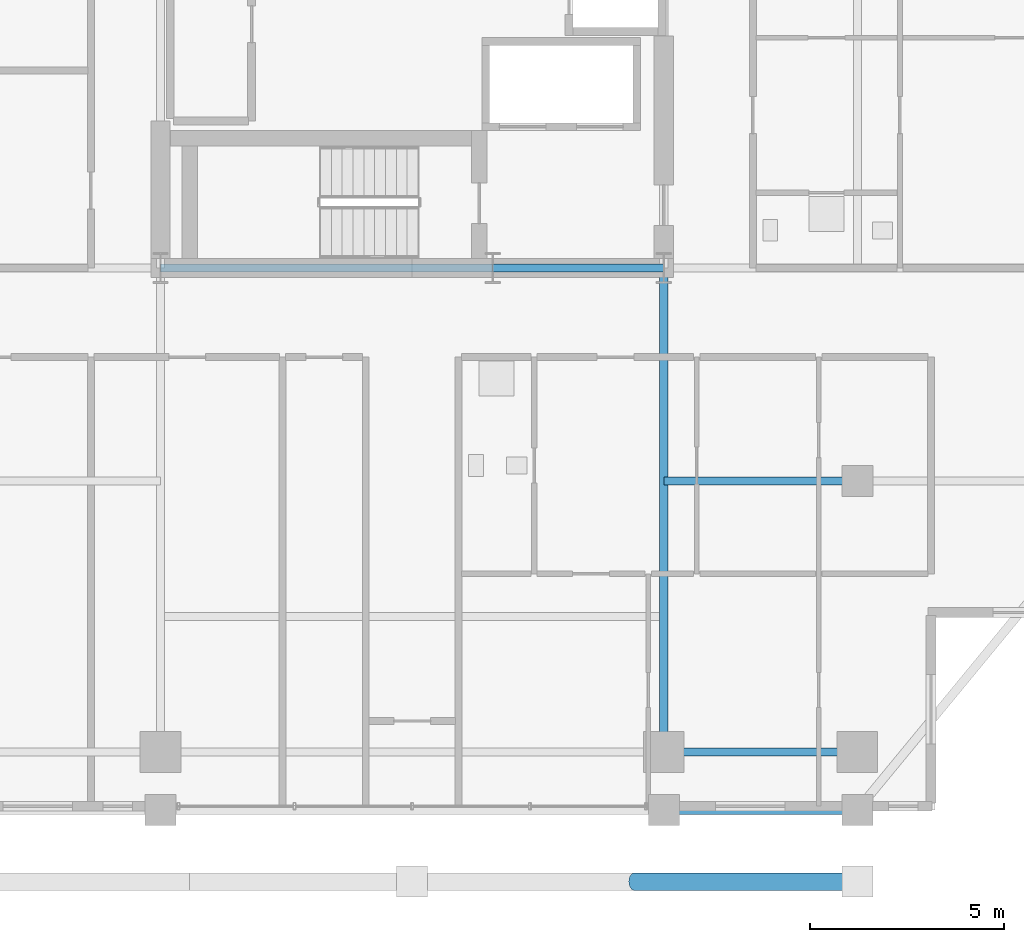
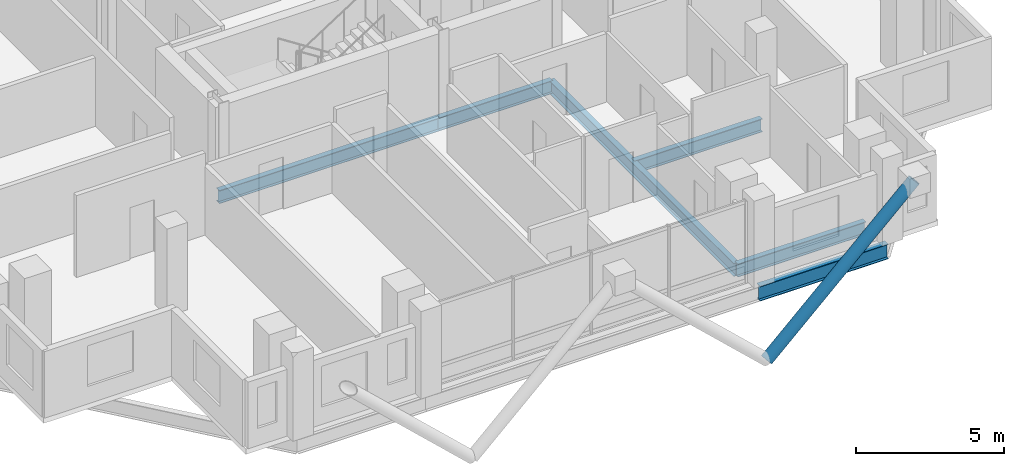
# One storey, part 5 of 24: 6 beams, 1 member.
"""IFC4 building model written with IfcOpenShell, lengths in metres."""

import ifcopenshell
import ifcopenshell.guid

model = None  # the IFC model being written
_history = None  # IfcOwnerHistory: only IFC2X3 demands one
_inside = {}  # id of a spatial element -> (the spatial element, [elements in it])
_under = {}  # id of a project, library or spatial element -> (it, [spatial elements below it])
_declared = {}  # id of a project -> (the project, [libraries it declares])
_typed = {}  # id of a type object -> (the type object, [elements of that type])
_made_of = {}  # id of a material, layer set ... -> (it, [elements and type objects made of it])


def new_model(schema):
    """Start an empty IFC model of exactly this schema.

    Asked for "IFC4X3", IfcOpenShell would pick the latest addendum, in which some entities
    have other attributes; the version numbers below select the first issue.
    IFC2X3 requires an IfcOwnerHistory on every rooted entity: one is made here for all.
    """
    global model, _history
    if schema == "IFC4X3":
        model = ifcopenshell.file(schema_version=(4, 3, 0, 0))
    else:
        model = ifcopenshell.file(schema=schema)
    _inside.clear()
    _under.clear()
    _declared.clear()
    _typed.clear()
    _made_of.clear()
    _history = None
    if model.schema == "IFC2X3":
        org = make("IfcOrganization", Name="unknown")
        user = make(
            "IfcPersonAndOrganization",
            ThePerson=make("IfcPerson", FamilyName="unknown"),
            TheOrganization=org,
        )
        app = make(
            "IfcApplication",
            ApplicationDeveloper=org,
            Version="unknown",
            ApplicationFullName="unknown",
            ApplicationIdentifier="unknown",
        )
        _history = make(
            "IfcOwnerHistory",
            OwningUser=user,
            OwningApplication=app,
            ChangeAction="ADDED",
            CreationDate=0,
        )
    return model


def make(cls, **values):
    """One entity of the class cls with the attributes given. An attribute that is None is left unset."""
    return model.create_entity(
        cls, **{name: value for name, value in values.items() if value is not None}
    )


def rooted(cls, **values):
    """An entity with a GlobalId (a new one), such as an element, a storey or a relation."""
    return make(cls, GlobalId=ifcopenshell.guid.new(), OwnerHistory=_history, **values)


def si_unit(unit_type, name, prefix=None):
    """IfcSIUnit, for example si_unit("LENGTHUNIT", "METRE", prefix="MILLI")."""
    return make("IfcSIUnit", UnitType=unit_type, Prefix=prefix, Name=name)


def assignment(units):
    """IfcUnitAssignment: the units of a project."""
    return None if units is None else make("IfcUnitAssignment", Units=units)


def point(xyz):
    """IfcCartesianPoint."""
    return None if xyz is None else make("IfcCartesianPoint", Coordinates=xyz)


def direction(xyz):
    """IfcDirection."""
    return None if xyz is None else make("IfcDirection", DirectionRatios=xyz)


def frame(location, z_axis=None, x_axis=None):
    """IfcAxis2Placement3D, a coordinate frame: its origin and axes. An axis left out is left unset."""
    return make(
        "IfcAxis2Placement3D",
        Location=point(location),
        Axis=direction(z_axis),
        RefDirection=direction(x_axis),
    )


def frame_2d(location, x_axis=None):
    """IfcAxis2Placement2D, a coordinate frame in the plane: its origin and x axis."""
    return make(
        "IfcAxis2Placement2D", Location=point(location), RefDirection=direction(x_axis)
    )


def origin():
    """The frame at (0, 0, 0) with its axes left unset."""
    return frame((0.0, 0.0, 0.0))


def origin_2d():
    """The frame at (0, 0) in the plane with its x axis left unset."""
    return frame_2d((0.0, 0.0))


def place(relative_to, where):
    """IfcLocalPlacement: puts the frame where relative to a parent placement (None: the world)."""
    return make(
        "IfcLocalPlacement", PlacementRelTo=relative_to, RelativePlacement=where
    )


def context(
    kind, dimensions, precision=None, world=None, true_north=None, identifier=None
):
    """IfcGeometricRepresentationContext, for example the 3D "Model" context."""
    return make(
        "IfcGeometricRepresentationContext",
        ContextIdentifier=identifier,
        ContextType=kind,
        CoordinateSpaceDimension=dimensions,
        Precision=precision,
        WorldCoordinateSystem=world,
        TrueNorth=true_north,
    )


def subcontext(parent, identifier, kind, view, scale=None):
    """IfcGeometricRepresentationSubContext, for example "Body" below "Model"."""
    return make(
        "IfcGeometricRepresentationSubContext",
        ContextIdentifier=identifier,
        ContextType=kind,
        ParentContext=parent,
        TargetScale=scale,
        TargetView=view,
    )


def project(units=None, contexts=None):
    """IfcProject with its units and contexts."""
    return rooted(
        "IfcProject",
        Name="project",
        RepresentationContexts=contexts,
        UnitsInContext=assignment(units),
    )


def spatial(cls, under=None, at=None, **own):
    """A site, building, storey or space (cls), placed at a placement, below another one or the project."""
    s = rooted(cls, ObjectPlacement=at, **own)
    if under is not None:
        _under.setdefault(under.id(), (under, []))[1].append(s)
    return s


def profile(cls, at=None, kind="AREA", **sizes):
    """A parametric profile (cls). Its sizes go by their IFC names, for example OverallWidth=200.0."""
    return make(cls, ProfileType=kind, Position=at, **sizes)


def hollow_circle(**sizes):
    """IfcCircleHollowProfileDef."""
    return profile("IfcCircleHollowProfileDef", **sizes)


def i_section(**sizes):
    """IfcIShapeProfileDef."""
    return profile("IfcIShapeProfileDef", **sizes)


def extrude(swept, where, along, depth):
    """IfcExtrudedAreaSolid: the profile swept, set in the frame where, extruded along a direction by depth."""
    return make(
        "IfcExtrudedAreaSolid",
        SweptArea=swept,
        Position=where,
        ExtrudedDirection=direction(along),
        Depth=depth,
    )


def shape(context_of_items, identifier, shape_type, items):
    """IfcShapeRepresentation: the items that make up one representation, for example the "Body"."""
    return make(
        "IfcShapeRepresentation",
        ContextOfItems=context_of_items,
        RepresentationIdentifier=identifier,
        RepresentationType=shape_type,
        Items=items,
    )


def material(Name=None, Category=None):
    """IfcMaterial."""
    return make("IfcMaterial", Name=Name, Category=Category)


def material_profile(
    of_material, cross_section, Name=None, Category=None, Priority=None
):
    """IfcMaterialProfile: a cross section and its material."""
    return make(
        "IfcMaterialProfile",
        Name=Name,
        Material=of_material,
        Profile=cross_section,
        Priority=Priority,
        Category=Category,
    )


def profile_set(profiles, Name=None, composite=None):
    """IfcMaterialProfileSet."""
    return make(
        "IfcMaterialProfileSet",
        Name=Name,
        MaterialProfiles=profiles,
        CompositeProfile=composite,
    )


def made_of(thing, what):
    """Note that an element or type object is made of a material, layer set ...; save() writes the relation."""
    if what is not None:
        _made_of.setdefault(what.id(), (what, []))[1].append(thing)
    return thing


def type_object(cls, material=None, **own):
    """A type object (cls), such as IfcWallType, which elements share."""
    return made_of(rooted(cls, **own), material)


def element(
    cls,
    number,
    at=None,
    inside=None,
    cuts=None,
    type_object=None,
    material=None,
    context=None,
    identifier="Body",
    shape_type=None,
    held_by="IfcProductDefinitionShape",
    body=None,
    shapes=None,
    **own,
):
    """One element of the class cls, such as IfcWall. Its Tag is "e" and its number.

    at: its placement. inside: the storey or other place that contains it. cuts: it is an
    opening in that element (IfcRelVoidsElement). A single representation is given by context,
    identifier, shape_type and body (its items); several are given by shapes. held_by: the class
    of the entity that holds the representations. save() writes the other relations.
    """
    e = rooted(cls, Tag="e%d" % number, ObjectPlacement=at, **own)
    if body is not None:
        shapes = [shape(context, identifier, shape_type, body)]
    if shapes is not None:
        e.Representation = make(held_by, Representations=shapes)
    if inside is not None:
        _inside.setdefault(inside.id(), (inside, []))[1].append(e)
    if cuts is not None:
        rooted(
            "IfcRelVoidsElement", RelatingBuildingElement=cuts, RelatedOpeningElement=e
        )
    if type_object is not None:
        _typed.setdefault(type_object.id(), (type_object, []))[1].append(e)
    return made_of(e, material)


def aggregate(whole, parts):
    """IfcRelAggregates: a whole, such as a stair, and the parts it consists of."""
    return rooted("IfcRelAggregates", RelatingObject=whole, RelatedObjects=parts)


def save(model, path):
    """Write the relations noted so far, then the file.

    IfcRelAggregates (storeys below a building ...), IfcRelContainedInSpatialStructure (elements
    in a storey), IfcRelDefinesByType, IfcRelAssociatesMaterial and IfcRelDeclares: one each for
    every whole, place, type object, material and project.
    """
    for whole, parts in _under.values():
        aggregate(whole, parts)
    for where, things in _inside.values():
        rooted(
            "IfcRelContainedInSpatialStructure",
            RelatedElements=things,
            RelatingStructure=where,
        )
    for kind, things in _typed.values():
        rooted("IfcRelDefinesByType", RelatedObjects=things, RelatingType=kind)
    for what, things in _made_of.values():
        rooted("IfcRelAssociatesMaterial", RelatedObjects=things, RelatingMaterial=what)
    for by, libraries in _declared.values():
        rooted("IfcRelDeclares", RelatingContext=by, RelatedDefinitions=libraries)
    model.write(path)


model = new_model("IFC4")

# Units and contexts
model_context = context("Model", 3, precision=1e-05, world=origin(), true_north=direction((0.0, 1.0)))
body_context = subcontext(model_context, "Body", "Model", "MODEL_VIEW")
ifc_project = project(units=[si_unit("LENGTHUNIT", "METRE"), si_unit("AREAUNIT", "SQUARE_METRE"), si_unit("VOLUMEUNIT", "CUBIC_METRE"), si_unit("PLANEANGLEUNIT", "RADIAN"), si_unit("MASSUNIT", "GRAM", prefix="KILO")], contexts=[model_context])

# Site, building, storey
site_placement = place(None, origin())
site = spatial("IfcSite", under=ifc_project, at=site_placement, CompositionType="ELEMENT")
building_placement = place(site_placement, origin())
building = spatial("IfcBuilding", under=site, at=building_placement, Name="Barlavira Tower and Art Museum", CompositionType="ELEMENT")
storey_placement = place(building_placement, frame((0.0, 0.0, 172.800048828125)))
storey = spatial("IfcBuildingStorey", under=building, at=storey_placement, Name="L44", CompositionType="ELEMENT", Elevation=172.800048828125)

# Member
ifc_material = material(Name="Steel S355", Category="steel")
ifc_material_profile_1 = material_profile(ifc_material, hollow_circle(Radius=0.228515625, WallThickness=0.02001953125, at=origin_2d()), Name="CHS 457.0x20.0")
ifc_profile_set_1 = profile_set([ifc_material_profile_1], Name="Steel S355")
member_type = type_object("IfcMemberType", Name="Pale-Metal Exoskeleton Diagrid Tube CHS 457x20 Steel S355", PredefinedType="BRACE", material=ifc_profile_set_1)
member_placement = place(storey_placement, frame((5.75, -23.35009765625, -1.920166015625), z_axis=(0.728934650808, 0.0, 0.684583285548), x_axis=(0.0, 1.0, 0.0)))
element("IfcMember", 1, at=member_placement, inside=storey, type_object=member_type, Name="L44 Exoskeleton Diagrid Tube S", PredefinedType="BRACE", context=body_context, shape_type="SweptSolid", body=[
    extrude(hollow_circle(Radius=0.228515625, WallThickness=0.02001953125, at=origin_2d()), origin(), (0.0, 0.0, 1.0), 7.88818359375),
])

# Beams
ifc_material_profile_2 = material_profile(ifc_material, i_section(OverallWidth=0.22998046875, OverallDepth=0.616943359375, WebThickness=0.01318359375, FlangeThickness=0.022216796875, at=origin_2d()), Name="W610x140.0")
ifc_profile_set_2 = profile_set([ifc_material_profile_2], Name="Steel S355")
beam_type_1 = type_object("IfcBeamType", Name="Upper Shaft Spandrel Edge Beam W610x140 Steel S355", PredefinedType="SPANDREL", material=ifc_profile_set_2)
beam_1_placement = place(storey_placement, frame((6.5, -21.5, -0.528564453125), z_axis=(1.0, 0.0, 0.0), x_axis=(0.0, 1.0, 0.0)))
element("IfcBeam", 2, at=beam_1_placement, inside=storey, type_object=beam_type_1, Name="L44 Spandrel 3", PredefinedType="SPANDREL", context=body_context, shape_type="SweptSolid", body=[
    extrude(i_section(OverallWidth=0.22998046875, OverallDepth=0.616943359375, WebThickness=0.01318359375, FlangeThickness=0.022216796875, at=origin_2d()), origin(), (0.0, 0.0, 1.0), 5.0),
])
ifc_material_profile_3 = material_profile(ifc_material, i_section(OverallWidth=0.2109375, OverallDepth=0.5390625, WebThickness=0.01171875, FlangeThickness=0.018798828125, at=origin_2d()), Name="W530x109.0")
ifc_profile_set_3 = profile_set([ifc_material_profile_3], Name="Steel S355")
beam_type_2 = type_object("IfcBeamType", Name="Zone 3-4 Primary Floor Girder W530x109 Steel S355", PredefinedType="BEAM", material=ifc_profile_set_3)
beam_2_placement = place(storey_placement, frame((-6.5, -7.5, -0.489501953125), z_axis=(1.0, 0.0, 0.0), x_axis=(0.0, 1.0, 0.0)))
element("IfcBeam", 3, at=beam_2_placement, inside=storey, type_object=beam_type_2, Name="L44 Girder C-S1", PredefinedType="BEAM", context=body_context, shape_type="SweptSolid", body=[
    extrude(i_section(OverallWidth=0.2109375, OverallDepth=0.5390625, WebThickness=0.01171875, FlangeThickness=0.018798828125, at=origin_2d()), origin(), (0.0, 0.0, 1.0), 8.580078125),
])
beam_3_placement = place(storey_placement, frame((2.080078125, -7.5, -0.489501953125), z_axis=(1.0, 0.0, 0.0), x_axis=(0.0, 1.0, 0.0)))
element("IfcBeam", 4, at=beam_3_placement, inside=storey, type_object=beam_type_2, Name="L44 Girder C-S2", PredefinedType="BEAM", context=body_context, shape_type="SweptSolid", body=[
    extrude(i_section(OverallWidth=0.2109375, OverallDepth=0.5390625, WebThickness=0.01171875, FlangeThickness=0.018798828125, at=origin_2d()), origin(), (0.0, 0.0, 1.0), 4.419921875),
])
beam_4_placement = place(storey_placement, frame((6.5, -20.0, -0.489501953125), z_axis=(1.0, 0.0, 0.0), x_axis=(0.0, 1.0, 0.0)))
element("IfcBeam", 5, at=beam_4_placement, inside=storey, type_object=beam_type_2, Name="L44 Girder M-S3", PredefinedType="BEAM", context=body_context, shape_type="SweptSolid", body=[
    extrude(i_section(OverallWidth=0.2109375, OverallDepth=0.5390625, WebThickness=0.01171875, FlangeThickness=0.018798828125, at=origin_2d()), origin(), (0.0, 0.0, 1.0), 5.0),
])
beam_5_placement = place(storey_placement, frame((6.5, -20.0, -0.489501953125), z_axis=(0.0, 1.0, 0.0), x_axis=(-1.0, 0.0, 0.0)))
element("IfcBeam", 6, at=beam_5_placement, inside=storey, type_object=beam_type_2, Name="L44 Girder R-S2", PredefinedType="BEAM", context=body_context, shape_type="SweptSolid", body=[
    extrude(i_section(OverallWidth=0.2109375, OverallDepth=0.5390625, WebThickness=0.01171875, FlangeThickness=0.018798828125, at=origin_2d()), origin(), (0.0, 0.0, 1.0), 12.5),
])
beam_6_placement = place(storey_placement, frame((6.5, -13.0, -0.489501953125), z_axis=(1.0, 0.0, 0.0), x_axis=(0.0, 1.0, 0.0)))
element("IfcBeam", 7, at=beam_6_placement, inside=storey, type_object=beam_type_2, Name="L44 Girder I-S3", PredefinedType="BEAM", context=body_context, shape_type="SweptSolid", body=[
    extrude(i_section(OverallWidth=0.2109375, OverallDepth=0.5390625, WebThickness=0.01171875, FlangeThickness=0.018798828125, at=origin_2d()), origin(), (0.0, 0.0, 1.0), 5.0),
])

save(model, "model.ifc")
